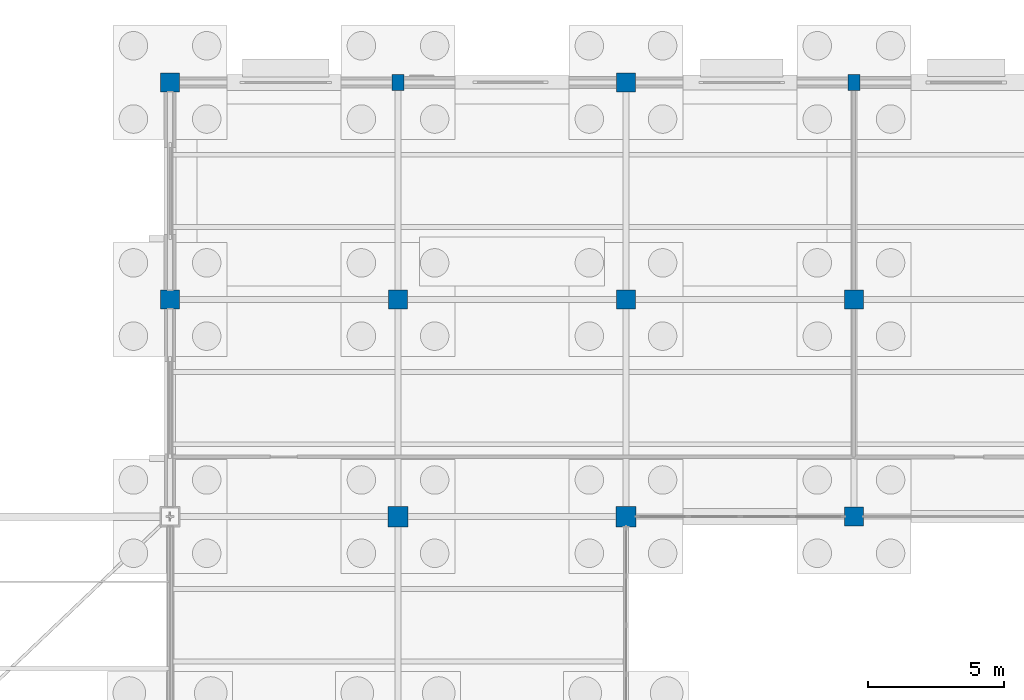
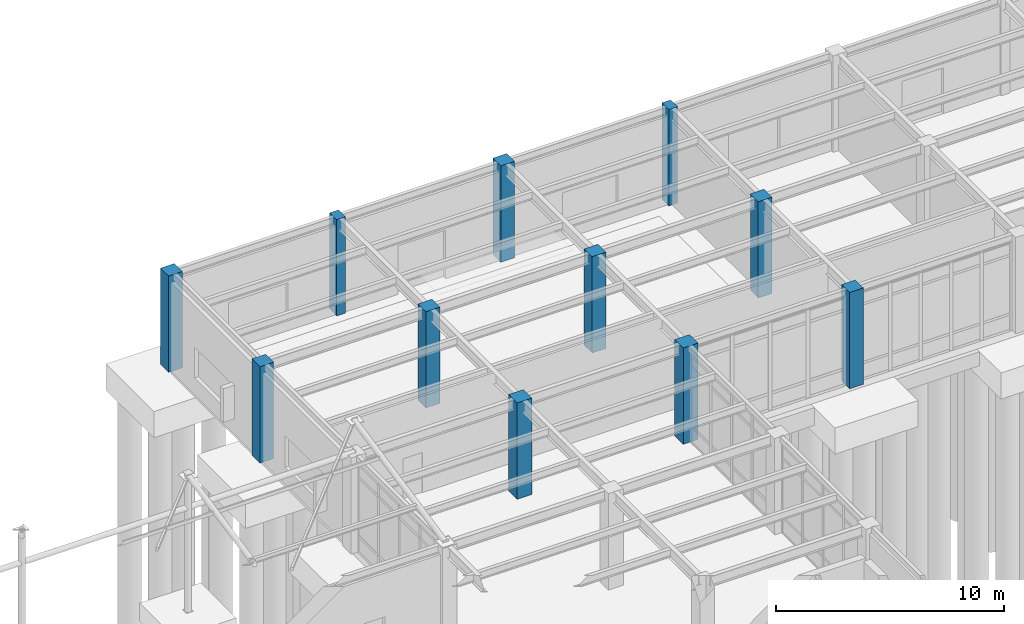
# One storey, part 18 of 138: 11 columns.
"""IFC4 building model written with IfcOpenShell, lengths in metres."""

from ifc_helpers import new_model, si_unit, direction, frame, origin, origin_2d, place, context, subcontext, project, spatial, rectangle, extrude, material, material_profile, profile_set, type_object, element, save


model = new_model("IFC4")

# Units and contexts
model_context = context("Model", 3, precision=1e-05, world=origin(), true_north=direction((0.0, 1.0)))
body_context = subcontext(model_context, "Body", "Model", "MODEL_VIEW")
ifc_project = project(units=[si_unit("LENGTHUNIT", "METRE"), si_unit("AREAUNIT", "SQUARE_METRE"), si_unit("VOLUMEUNIT", "CUBIC_METRE"), si_unit("PLANEANGLEUNIT", "RADIAN"), si_unit("MASSUNIT", "GRAM", prefix="KILO")], contexts=[model_context])

# Site, building, storey
site_placement = place(None, origin())
site = spatial("IfcSite", under=ifc_project, at=site_placement, CompositionType="ELEMENT")
building_placement = place(site_placement, origin())
building = spatial("IfcBuilding", under=site, at=building_placement, Name="Kranzveld Transit Interchange", CompositionType="ELEMENT")
storey_placement = place(building_placement, origin())
storey = spatial("IfcBuildingStorey", under=building, at=storey_placement, Name="L00", CompositionType="ELEMENT", Elevation=0.0)

# Columns
ifc_material_1 = material(Name="Concrete C35/45", Category="concrete")
ifc_material_profile_1 = material_profile(ifc_material_1, rectangle(XDim=0.699951171875, YDim=0.699951171875, at=origin_2d()), Name="RC 700x700")
ifc_profile_set_1 = profile_set([ifc_material_profile_1], Name="Concrete C35/45")
column_type_1 = type_object("IfcColumnType", Name="Column RC 700x700 C35/45", PredefinedType="COLUMN", material=ifc_profile_set_1)
for number, where, z_axis, x_axis, name in (
    (1, (100.800048828125, 104.0, 0.0), (0.0, 0.0, 1.0), (1.0, 0.0, 0.0), "L00 Column 13/P"),
    (2, (100.800048828125, 112.0, 0.0), (0.0, 0.0, 1.0), (1.0, 0.0, 0.0), "L00 Column 13/Q"),
    (3, (109.199951171875, 104.0, 0.0), (0.0, 0.0, 1.0), (1.0, 0.0, 0.0), "L00 Column 14/P"),
    (4, (117.60009765625, 104.0, 0.0), (0.0, 0.0, 1.0), (1.0, 0.0, 0.0), "L00 Column 15/P"),
    (5, (117.60009765625, 112.0, 0.0), (0.0, 0.0, 1.0), (1.0, 0.0, 0.0), "L00 Column 15/Q"),
    (6, (126.0, 96.0, 0.0), (0.0, 0.0, 1.0), (1.0, 0.0, 0.0), "L00 Column 16/N"),
    (7, (126.0, 104.0, 0.0), (0.0, 0.0, 1.0), (1.0, 0.0, 0.0), "L00 Column 16/P"),
):
    element("IfcColumn", number, at=place(storey_placement, frame(where, z_axis=z_axis, x_axis=x_axis)), inside=storey, type_object=column_type_1, Name=name, PredefinedType="COLUMN", context=body_context, shape_type="SweptSolid", body=[
        extrude(rectangle(XDim=0.699951171875, YDim=0.699951171875, at=origin_2d()), origin(), (0.0, 0.0, 1.0), 5.14990234375),
    ])
ifc_material_2 = material(Name="Concrete C40/50", Category="concrete")
ifc_material_profile_2 = material_profile(ifc_material_2, rectangle(XDim=0.75, YDim=0.75, at=origin_2d()), Name="RC 750x750")
ifc_profile_set_2 = profile_set([ifc_material_profile_2], Name="Concrete C40/50")
column_type_2 = type_object("IfcColumnType", Name="Column RC 750x750 C40/50", PredefinedType="COLUMN", material=ifc_profile_set_2)
for number, where, z_axis, x_axis, name in (
    (8, (109.199951171875, 96.0, 0.0), (0.0, 0.0, 1.0), (1.0, 0.0, 0.0), "L00 Column 14/N"),
    (9, (117.60009765625, 96.0, 0.0), (0.0, 0.0, 1.0), (1.0, 0.0, 0.0), "L00 Column 15/N"),
):
    element("IfcColumn", number, at=place(storey_placement, frame(where, z_axis=z_axis, x_axis=x_axis)), inside=storey, type_object=column_type_2, Name=name, PredefinedType="COLUMN", context=body_context, shape_type="SweptSolid", body=[
        extrude(rectangle(XDim=0.75, YDim=0.75, at=origin_2d()), origin(), (0.0, 0.0, 1.0), 5.14990234375),
    ])
ifc_material_3 = material(Name="Concrete C35/45", Category="concrete")
ifc_material_profile_3 = material_profile(ifc_material_3, rectangle(XDim=0.449951171875, YDim=0.60009765625, at=origin_2d()), Name="RC 600x450")
ifc_profile_set_3 = profile_set([ifc_material_profile_3], Name="Concrete C35/45")
column_type_3 = type_object("IfcColumnType", Name="Pilaster RC 450x600 C35/45", PredefinedType="PILASTER", material=ifc_profile_set_3)
for number, where, z_axis, x_axis, name in (
    (10, (109.199951171875, 112.0, 0.0), (0.0, 0.0, 1.0), (1.0, 0.0, 0.0), "L00 Column 14/Q"),
    (11, (126.0, 112.0, 0.0), (0.0, 0.0, 1.0), (1.0, 0.0, 0.0), "L00 Column 16/Q"),
):
    element("IfcColumn", number, at=place(storey_placement, frame(where, z_axis=z_axis, x_axis=x_axis)), inside=storey, type_object=column_type_3, Name=name, PredefinedType="PILASTER", context=body_context, shape_type="SweptSolid", body=[
        extrude(rectangle(XDim=0.449951171875, YDim=0.60009765625, at=origin_2d()), origin(), (0.0, 0.0, 1.0), 5.14990234375),
    ])

save(model, "model.ifc")
